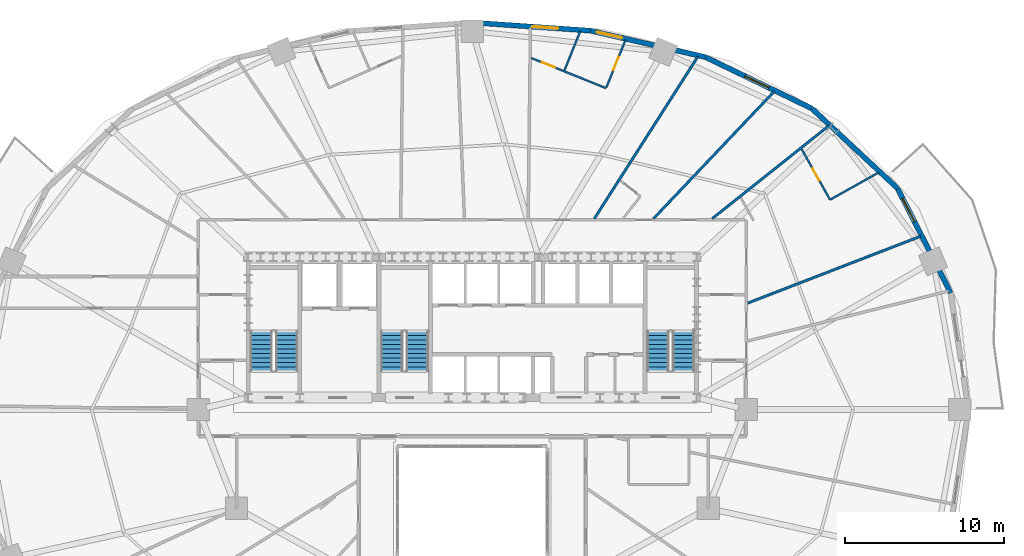
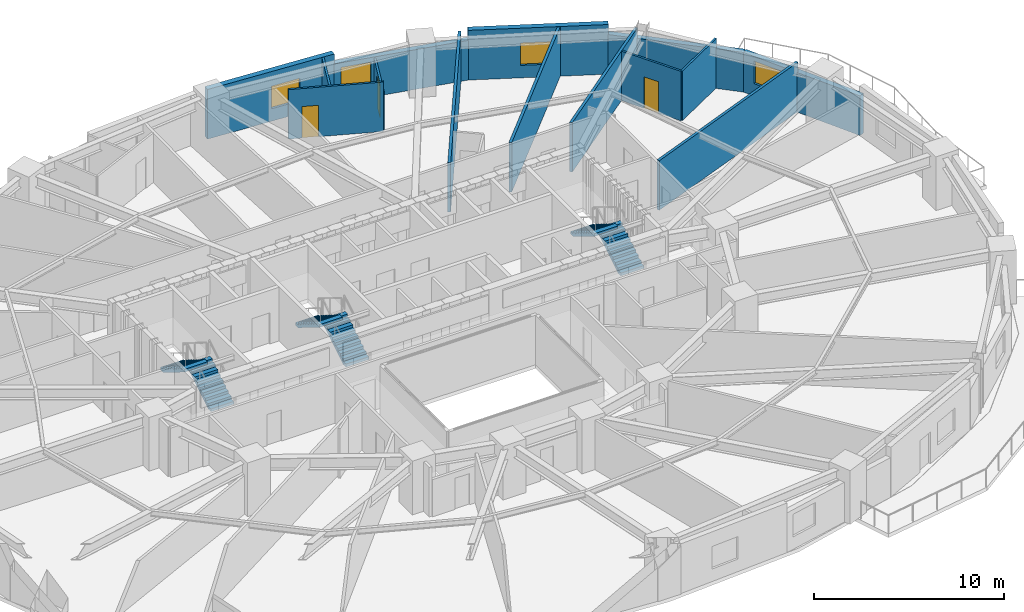
# One storey, part 12 of 16: 14 walls, 6 stair flights, 4 windows, 3 doors, 7 openings, 3 elements without a shape of their own.
"""IFC4 building model written with IfcOpenShell, lengths in metres."""

import ifcopenshell
import ifcopenshell.guid

model = None  # the IFC model being written
_history = None  # IfcOwnerHistory: only IFC2X3 demands one
_inside = {}  # id of a spatial element -> (the spatial element, [elements in it])
_under = {}  # id of a project, library or spatial element -> (it, [spatial elements below it])
_declared = {}  # id of a project -> (the project, [libraries it declares])
_typed = {}  # id of a type object -> (the type object, [elements of that type])
_made_of = {}  # id of a material, layer set ... -> (it, [elements and type objects made of it])


def new_model(schema):
    """Start an empty IFC model of exactly this schema.

    Asked for "IFC4X3", IfcOpenShell would pick the latest addendum, in which some entities
    have other attributes; the version numbers below select the first issue.
    IFC2X3 requires an IfcOwnerHistory on every rooted entity: one is made here for all.
    """
    global model, _history
    if schema == "IFC4X3":
        model = ifcopenshell.file(schema_version=(4, 3, 0, 0))
    else:
        model = ifcopenshell.file(schema=schema)
    _inside.clear()
    _under.clear()
    _declared.clear()
    _typed.clear()
    _made_of.clear()
    _history = None
    if model.schema == "IFC2X3":
        org = make("IfcOrganization", Name="unknown")
        user = make(
            "IfcPersonAndOrganization",
            ThePerson=make("IfcPerson", FamilyName="unknown"),
            TheOrganization=org,
        )
        app = make(
            "IfcApplication",
            ApplicationDeveloper=org,
            Version="unknown",
            ApplicationFullName="unknown",
            ApplicationIdentifier="unknown",
        )
        _history = make(
            "IfcOwnerHistory",
            OwningUser=user,
            OwningApplication=app,
            ChangeAction="ADDED",
            CreationDate=0,
        )
    return model


def make(cls, **values):
    """One entity of the class cls with the attributes given. An attribute that is None is left unset."""
    return model.create_entity(
        cls, **{name: value for name, value in values.items() if value is not None}
    )


def rooted(cls, **values):
    """An entity with a GlobalId (a new one), such as an element, a storey or a relation."""
    return make(cls, GlobalId=ifcopenshell.guid.new(), OwnerHistory=_history, **values)


def si_unit(unit_type, name, prefix=None):
    """IfcSIUnit, for example si_unit("LENGTHUNIT", "METRE", prefix="MILLI")."""
    return make("IfcSIUnit", UnitType=unit_type, Prefix=prefix, Name=name)


def assignment(units):
    """IfcUnitAssignment: the units of a project."""
    return None if units is None else make("IfcUnitAssignment", Units=units)


def point(xyz):
    """IfcCartesianPoint."""
    return None if xyz is None else make("IfcCartesianPoint", Coordinates=xyz)


def direction(xyz):
    """IfcDirection."""
    return None if xyz is None else make("IfcDirection", DirectionRatios=xyz)


def frame(location, z_axis=None, x_axis=None):
    """IfcAxis2Placement3D, a coordinate frame: its origin and axes. An axis left out is left unset."""
    return make(
        "IfcAxis2Placement3D",
        Location=point(location),
        Axis=direction(z_axis),
        RefDirection=direction(x_axis),
    )


def frame_2d(location, x_axis=None):
    """IfcAxis2Placement2D, a coordinate frame in the plane: its origin and x axis."""
    return make(
        "IfcAxis2Placement2D", Location=point(location), RefDirection=direction(x_axis)
    )


def origin():
    """The frame at (0, 0, 0) with its axes left unset."""
    return frame((0.0, 0.0, 0.0))


def place(relative_to, where):
    """IfcLocalPlacement: puts the frame where relative to a parent placement (None: the world)."""
    return make(
        "IfcLocalPlacement", PlacementRelTo=relative_to, RelativePlacement=where
    )


def context(
    kind, dimensions, precision=None, world=None, true_north=None, identifier=None
):
    """IfcGeometricRepresentationContext, for example the 3D "Model" context."""
    return make(
        "IfcGeometricRepresentationContext",
        ContextIdentifier=identifier,
        ContextType=kind,
        CoordinateSpaceDimension=dimensions,
        Precision=precision,
        WorldCoordinateSystem=world,
        TrueNorth=true_north,
    )


def subcontext(parent, identifier, kind, view, scale=None):
    """IfcGeometricRepresentationSubContext, for example "Body" below "Model"."""
    return make(
        "IfcGeometricRepresentationSubContext",
        ContextIdentifier=identifier,
        ContextType=kind,
        ParentContext=parent,
        TargetScale=scale,
        TargetView=view,
    )


def project(units=None, contexts=None):
    """IfcProject with its units and contexts."""
    return rooted(
        "IfcProject",
        Name="project",
        RepresentationContexts=contexts,
        UnitsInContext=assignment(units),
    )


def spatial(cls, under=None, at=None, **own):
    """A site, building, storey or space (cls), placed at a placement, below another one or the project."""
    s = rooted(cls, ObjectPlacement=at, **own)
    if under is not None:
        _under.setdefault(under.id(), (under, []))[1].append(s)
    return s


def polyline(points):
    """IfcPolyline through the points."""
    return make("IfcPolyline", Points=[point(p) for p in points])


def profile(cls, at=None, kind="AREA", **sizes):
    """A parametric profile (cls). Its sizes go by their IFC names, for example OverallWidth=200.0."""
    return make(cls, ProfileType=kind, Position=at, **sizes)


def rectangle(**sizes):
    """IfcRectangleProfileDef."""
    return profile("IfcRectangleProfileDef", **sizes)


def outline(outer, holes=None, kind="AREA"):
    """IfcArbitraryClosedProfileDef: a profile drawn as a closed curve; with holes, ...WithVoids."""
    if holes is None:
        return make("IfcArbitraryClosedProfileDef", ProfileType=kind, OuterCurve=outer)
    return make(
        "IfcArbitraryProfileDefWithVoids",
        ProfileType=kind,
        OuterCurve=outer,
        InnerCurves=holes,
    )


def extrude(swept, where, along, depth):
    """IfcExtrudedAreaSolid: the profile swept, set in the frame where, extruded along a direction by depth."""
    return make(
        "IfcExtrudedAreaSolid",
        SweptArea=swept,
        Position=where,
        ExtrudedDirection=direction(along),
        Depth=depth,
    )


def shape(context_of_items, identifier, shape_type, items):
    """IfcShapeRepresentation: the items that make up one representation, for example the "Body"."""
    return make(
        "IfcShapeRepresentation",
        ContextOfItems=context_of_items,
        RepresentationIdentifier=identifier,
        RepresentationType=shape_type,
        Items=items,
    )


def material(Name=None, Category=None):
    """IfcMaterial."""
    return make("IfcMaterial", Name=Name, Category=Category)


def layer(
    of_material, thickness, ventilated=None, Name=None, Category=None, Priority=None
):
    """IfcMaterialLayer: one layer of a wall or slab, of a material (None: an air gap)."""
    return make(
        "IfcMaterialLayer",
        Material=of_material,
        LayerThickness=thickness,
        IsVentilated=ventilated,
        Name=Name,
        Category=Category,
        Priority=Priority,
    )


def layer_set(layers, Name=None):
    """IfcMaterialLayerSet."""
    return make("IfcMaterialLayerSet", MaterialLayers=layers, LayerSetName=Name)


def made_of(thing, what):
    """Note that an element or type object is made of a material, layer set ...; save() writes the relation."""
    if what is not None:
        _made_of.setdefault(what.id(), (what, []))[1].append(thing)
    return thing


def type_object(cls, material=None, **own):
    """A type object (cls), such as IfcWallType, which elements share."""
    return made_of(rooted(cls, **own), material)


def element(
    cls,
    number,
    at=None,
    inside=None,
    cuts=None,
    type_object=None,
    material=None,
    context=None,
    identifier="Body",
    shape_type=None,
    held_by="IfcProductDefinitionShape",
    body=None,
    shapes=None,
    **own,
):
    """One element of the class cls, such as IfcWall. Its Tag is "e" and its number.

    at: its placement. inside: the storey or other place that contains it. cuts: it is an
    opening in that element (IfcRelVoidsElement). A single representation is given by context,
    identifier, shape_type and body (its items); several are given by shapes. held_by: the class
    of the entity that holds the representations. save() writes the other relations.
    """
    e = rooted(cls, Tag="e%d" % number, ObjectPlacement=at, **own)
    if body is not None:
        shapes = [shape(context, identifier, shape_type, body)]
    if shapes is not None:
        e.Representation = make(held_by, Representations=shapes)
    if inside is not None:
        _inside.setdefault(inside.id(), (inside, []))[1].append(e)
    if cuts is not None:
        rooted(
            "IfcRelVoidsElement", RelatingBuildingElement=cuts, RelatedOpeningElement=e
        )
    if type_object is not None:
        _typed.setdefault(type_object.id(), (type_object, []))[1].append(e)
    return made_of(e, material)


def fill(opening, filler):
    """IfcRelFillsElement: the door or window that sits in an opening."""
    return rooted(
        "IfcRelFillsElement",
        RelatingOpeningElement=opening,
        RelatedBuildingElement=filler,
    )


def aggregate(whole, parts):
    """IfcRelAggregates: a whole, such as a stair, and the parts it consists of."""
    return rooted("IfcRelAggregates", RelatingObject=whole, RelatedObjects=parts)


def save(model, path):
    """Write the relations noted so far, then the file.

    IfcRelAggregates (storeys below a building ...), IfcRelContainedInSpatialStructure (elements
    in a storey), IfcRelDefinesByType, IfcRelAssociatesMaterial and IfcRelDeclares: one each for
    every whole, place, type object, material and project.
    """
    for whole, parts in _under.values():
        aggregate(whole, parts)
    for where, things in _inside.values():
        rooted(
            "IfcRelContainedInSpatialStructure",
            RelatedElements=things,
            RelatingStructure=where,
        )
    for kind, things in _typed.values():
        rooted("IfcRelDefinesByType", RelatedObjects=things, RelatingType=kind)
    for what, things in _made_of.values():
        rooted("IfcRelAssociatesMaterial", RelatedObjects=things, RelatingMaterial=what)
    for by, libraries in _declared.values():
        rooted("IfcRelDeclares", RelatingContext=by, RelatedDefinitions=libraries)
    model.write(path)


model = new_model("IFC4")

# Units and contexts
model_context = context("Model", 3, precision=1e-05, world=origin(), true_north=direction((0.0, 1.0)))
body_context = subcontext(model_context, "Body", "Model", "MODEL_VIEW")
ifc_project = project(units=[si_unit("LENGTHUNIT", "METRE"), si_unit("AREAUNIT", "SQUARE_METRE"), si_unit("VOLUMEUNIT", "CUBIC_METRE"), si_unit("PLANEANGLEUNIT", "RADIAN"), si_unit("MASSUNIT", "GRAM", prefix="KILO")], contexts=[model_context])

# Site, building, storey
site_placement = place(None, origin())
site = spatial("IfcSite", under=ifc_project, at=site_placement, CompositionType="ELEMENT")
building_placement = place(site_placement, origin())
building = spatial("IfcBuilding", under=site, at=building_placement, Name="Haldorwick Loom Tower", CompositionType="ELEMENT")
storey_placement = place(building_placement, frame((0.0, 0.0, 68.85009765625)))
storey = spatial("IfcBuildingStorey", under=building, at=storey_placement, Name="L18", CompositionType="ELEMENT", Elevation=68.85009765625)

# Wall, opening, window
ifc_material_1 = material(Name="Pressed Clay Face Brick and Insulated Masonry Backup Assembly", Category="masonry")
ifc_layer_1 = layer(ifc_material_1, 0.320068359375, Name="Pressed Clay Face Brick and Insulated Masonry Backup Assembly", Category="masonry")
ifc_layer_set_1 = layer_set([ifc_layer_1], Name="Pressed Clay Face Brick and Insulated Masonry Backup Assembly")
wall_type_1 = type_object("IfcWallType", Name="ARC-WL-EXT320", PredefinedType="STANDARD", material=ifc_layer_set_1)
wall_1_placement = place(storey_placement, frame((66.021728515625, 33.320556640625, 0.0), z_axis=(0.0, 0.0, 1.0), x_axis=(-0.452950855928, 0.891535485617, 0.0)))
wall_1 = element("IfcWall", 1, at=wall_1_placement, inside=storey, type_object=wall_type_1, Name="L18 Brick Pier and Spandrel Wall 2", PredefinedType="STANDARD", context=body_context, shape_type="SweptSolid", body=[
    extrude(rectangle(XDim=7.3583984375, YDim=0.320068359375, at=frame_2d((3.67919921875, 0.0))), origin(), (0.0, 0.0, 1.0), 2.548828125),
])
opening_1_placement = place(wall_1_placement, frame((5.00927734375, 0.0, 0.800048828125)))
opening_1 = element("IfcOpeningElement", 2, at=opening_1_placement, cuts=wall_1, Name="Opening W-01B", PredefinedType="OPENING", context=body_context, shape_type="SweptSolid", body=[
    extrude(rectangle(XDim=1.64990234375, YDim=1.449951171875, at=frame_2d((0.824951171875, 0.72509765625))), frame((0.0, 0.169921875, 0.0), z_axis=(0.0, -1.0, 0.0), x_axis=(1.0, 0.0, 0.0)), (0.0, 0.0, 1.0), 0.340087890625),
])
ifc_material_2 = material(Name="Triple-Glazed Low-E Argon Insulated Glazing Unit", Category="glass")
window_type = type_object("IfcWindowType", Name="ARC-WIN-W165", PartitioningType="SINGLE_PANEL", PredefinedType="WINDOW", material=ifc_material_2)
window_1_placement = place(opening_1_placement, origin())
window_1 = element("IfcWindow", 3, at=window_1_placement, inside=storey, type_object=window_type, Name="L18 Deep-Set Zone 7A Window 2", OverallHeight=1.449951171875, OverallWidth=1.64990234375, PartitioningType="SINGLE_PANEL", PredefinedType="WINDOW", context=body_context, shape_type="SweptSolid", body=[
    extrude(rectangle(XDim=1.64990234375, YDim=1.449951171875, at=frame_2d((0.824951171875, 0.72509765625))), frame((0.0, 0.030029296875, 0.0), z_axis=(0.0, -1.0, 0.0), x_axis=(1.0, 0.0, 0.0)), (0.0, 0.0, 1.0), 0.06005859375),
])
fill(opening_1, window_1)

# Wall
wall_2_placement = place(storey_placement, frame((62.688720703125, 39.880859375, 0.0), z_axis=(0.0, 0.0, 1.0), x_axis=(-0.73176101237, 0.681561311091, 0.0)))
element("IfcWall", 4, at=wall_2_placement, inside=storey, type_object=wall_type_1, Name="L18 Brick Pier and Spandrel Wall 3", PredefinedType="STANDARD", context=body_context, shape_type="SweptSolid", body=[
    extrude(rectangle(XDim=7.3583984375, YDim=0.320068359375, at=frame_2d((3.67919921875, 0.0))), origin(), (0.0, 0.0, 1.0), 2.548828125),
])

# Wall, opening, window
wall_3_placement = place(storey_placement, frame((57.30419921875, 44.89599609375, 0.0), z_axis=(0.0, 0.0, 1.0), x_axis=(-0.900295710431, 0.435278800057, 0.0)))
wall_3 = element("IfcWall", 5, at=wall_3_placement, inside=storey, type_object=wall_type_1, Name="L18 Brick Pier and Spandrel Wall 4", PredefinedType="STANDARD", context=body_context, shape_type="SweptSolid", body=[
    extrude(rectangle(XDim=7.39697265625, YDim=0.320068359375, at=frame_2d((3.698486328125, 0.0))), origin(), (0.0, 0.0, 1.0), 3.18994140625),
])
opening_2_placement = place(wall_3_placement, frame((2.994140625, 0.0, 0.800048828125)))
opening_2 = element("IfcOpeningElement", 6, at=opening_2_placement, cuts=wall_3, Name="Opening W-01B", PredefinedType="OPENING", context=body_context, shape_type="SweptSolid", body=[
    extrude(rectangle(XDim=1.64990234375, YDim=1.449951171875, at=frame_2d((0.824951171875, 0.72509765625))), frame((0.0, 0.169921875, 0.0), z_axis=(0.0, -1.0, 0.0), x_axis=(1.0, 0.0, 0.0)), (0.0, 0.0, 1.0), 0.340087890625),
])
window_2_placement = place(opening_2_placement, origin())
window_2 = element("IfcWindow", 7, at=window_2_placement, inside=storey, type_object=window_type, Name="L18 Deep-Set Zone 7A Window 4", OverallHeight=1.449951171875, OverallWidth=1.64990234375, PartitioningType="SINGLE_PANEL", PredefinedType="WINDOW", context=body_context, shape_type="SweptSolid", body=[
    extrude(rectangle(XDim=1.64990234375, YDim=1.449951171875, at=frame_2d((0.824951171875, 0.72509765625))), frame((0.0, 0.030029296875, 0.0), z_axis=(0.0, -1.0, 0.0), x_axis=(1.0, 0.0, 0.0)), (0.0, 0.0, 1.0), 0.06005859375),
])
fill(opening_2, window_2)

wall_4_placement = place(storey_placement, frame((50.644775390625, 48.11572265625, 0.0), z_axis=(0.0, 0.0, 1.0), x_axis=(-0.974522412345, 0.224290142088, 0.0)))
wall_4 = element("IfcWall", 8, at=wall_4_placement, inside=storey, type_object=wall_type_1, Name="L18 Brick Pier and Spandrel Wall 5", PredefinedType="STANDARD", context=body_context, shape_type="SweptSolid", body=[
    extrude(rectangle(XDim=7.422607421875, YDim=0.320068359375, at=frame_2d((3.71142578125, 0.0))), origin(), (0.0, 0.0, 1.0), 2.548828125),
])
opening_3_placement = place(wall_4_placement, frame((5.37255859375, 0.0, 0.800048828125)))
opening_3 = element("IfcOpeningElement", 9, at=opening_3_placement, cuts=wall_4, Name="Opening W-01B", PredefinedType="OPENING", context=body_context, shape_type="SweptSolid", body=[
    extrude(rectangle(XDim=1.64990234375, YDim=1.449951171875, at=frame_2d((0.824951171875, 0.72509765625))), frame((0.0, 0.169921875, 0.0), z_axis=(0.0, -1.0, 0.0), x_axis=(1.0, 0.0, 0.0)), (0.0, 0.0, 1.0), 0.340087890625),
])
window_3_placement = place(opening_3_placement, origin())
window_3 = element("IfcWindow", 10, at=window_3_placement, inside=storey, type_object=window_type, Name="L18 Deep-Set Zone 7A Window 5", OverallHeight=1.449951171875, OverallWidth=1.64990234375, PartitioningType="SINGLE_PANEL", PredefinedType="WINDOW", context=body_context, shape_type="SweptSolid", body=[
    extrude(rectangle(XDim=1.64990234375, YDim=1.449951171875, at=frame_2d((0.824951171875, 0.72509765625))), frame((0.0, 0.030029296875, 0.0), z_axis=(0.0, -1.0, 0.0), x_axis=(1.0, 0.0, 0.0)), (0.0, 0.0, 1.0), 0.06005859375),
])
fill(opening_3, window_3)

wall_5_placement = place(storey_placement, frame((43.411376953125, 49.780517578125, 0.0), z_axis=(0.0, 0.0, 1.0), x_axis=(-0.997645161917, 0.068586667092, 0.0)))
wall_5 = element("IfcWall", 11, at=wall_5_placement, inside=storey, type_object=wall_type_1, Name="L18 Brick Pier and Spandrel Wall 6", PredefinedType="STANDARD", context=body_context, shape_type="SweptSolid", body=[
    extrude(rectangle(XDim=7.428955078125, YDim=0.320068359375, at=frame_2d((3.71435546875, 0.0))), origin(), (0.0, 0.0, 1.0), 3.18994140625),
])
opening_4_placement = place(wall_5_placement, frame((2.01953125, 0.0, 0.800048828125)))
opening_4 = element("IfcOpeningElement", 12, at=opening_4_placement, cuts=wall_5, Name="Opening W-01B", PredefinedType="OPENING", context=body_context, shape_type="SweptSolid", body=[
    extrude(rectangle(XDim=1.64990234375, YDim=1.449951171875, at=frame_2d((0.824951171875, 0.72509765625))), frame((0.0, 0.169921875, 0.0), z_axis=(0.0, -1.0, 0.0), x_axis=(1.0, 0.0, 0.0)), (0.0, 0.0, 1.0), 0.340087890625),
])
window_4_placement = place(opening_4_placement, origin())
window_4 = element("IfcWindow", 13, at=window_4_placement, inside=storey, type_object=window_type, Name="L18 Deep-Set Zone 7A Window 6", OverallHeight=1.449951171875, OverallWidth=1.64990234375, PartitioningType="SINGLE_PANEL", PredefinedType="WINDOW", context=body_context, shape_type="SweptSolid", body=[
    extrude(rectangle(XDim=1.64990234375, YDim=1.449951171875, at=frame_2d((0.824951171875, 0.72509765625))), frame((0.0, 0.030029296875, 0.0), z_axis=(0.0, -1.0, 0.0), x_axis=(1.0, 0.0, 0.0)), (0.0, 0.0, 1.0), 0.06005859375),
])
fill(opening_4, window_4)

# Walls
ifc_material_3 = material(Name="Fire-Rated Type X Gypsum Stud Assembly EI 60")
ifc_layer_2 = layer(ifc_material_3, 0.159912109375, Name="Fire-Rated Type X Gypsum Stud Assembly EI 60")
ifc_layer_set_2 = layer_set([ifc_layer_2], Name="Fire-Rated Type X Gypsum Stud Assembly EI 60")
wall_type_2 = type_object("IfcWallType", Name="ARC-WL-FIRE160", PredefinedType="PARTITIONING", material=ifc_layer_set_2)
wall_6_placement = place(storey_placement, frame((47.369384765625, 37.98291015625, 0.0), z_axis=(0.0, 0.0, 1.0), x_axis=(0.688281090764, 0.725444098533, 0.0)))
element("IfcWall", 14, at=wall_6_placement, inside=storey, type_object=wall_type_2, Name="L18 Suite Split Wall", PredefinedType="PARTITIONING", context=body_context, shape_type="SweptSolid", body=[
    extrude(rectangle(XDim=11.00390625, YDim=0.159912109375, at=frame_2d((5.501953125, 0.0))), origin(), (0.0, 0.0, 1.0), 3.1748046875),
])
wall_7_placement = place(storey_placement, frame((51.052490234375, 37.98291015625, 0.0), z_axis=(0.0, 0.0, 1.0), x_axis=(0.782350535086, 0.622838374099, 0.0)))
element("IfcWall", 15, at=wall_7_placement, inside=storey, type_object=wall_type_2, Name="L18 Suite Split Wall", PredefinedType="PARTITIONING", context=body_context, shape_type="SweptSolid", body=[
    extrude(rectangle(XDim=9.357666015625, YDim=0.159912109375, at=frame_2d((4.6787109375, 0.0))), origin(), (0.0, 0.0, 1.0), 3.1748046875),
])
wall_8_placement = place(storey_placement, frame((43.65625, 37.98291015625, 0.0), z_axis=(0.0, 0.0, 1.0), x_axis=(0.538417986095, 0.842677917267, 0.0)))
element("IfcWall", 16, at=wall_8_placement, inside=storey, type_object=wall_type_2, Name="L18 Suite Split Wall", PredefinedType="PARTITIONING", context=body_context, shape_type="SweptSolid", body=[
    extrude(rectangle(XDim=12.077880859375, YDim=0.159912109375, at=frame_2d((6.0390625, 0.0))), origin(), (0.0, 0.0, 1.0), 3.1748046875),
])
wall_9_placement = place(storey_placement, frame((53.282958984375, 32.681640625, 0.0), z_axis=(0.0, 0.0, 1.0), x_axis=(0.932721519718, 0.360597513379, 0.0)))
element("IfcWall", 17, at=wall_9_placement, inside=storey, type_object=wall_type_2, Name="L18 Suite Split Wall", PredefinedType="PARTITIONING", context=body_context, shape_type="SweptSolid", body=[
    extrude(rectangle(XDim=11.64111328125, YDim=0.159912109375, at=frame_2d((5.820556640625, 0.0))), origin(), (0.0, 0.0, 1.0), 3.1748046875),
])

# Wall, opening, door
ifc_material_4 = material(Name="Acoustic Gypsum Stud Assembly STC 55")
ifc_layer_3 = layer(ifc_material_4, 0.1201171875, Name="Acoustic Gypsum Stud Assembly STC 55")
ifc_layer_set_3 = layer_set([ifc_layer_3], Name="Acoustic Gypsum Stud Assembly STC 55")
wall_type_3 = type_object("IfcWallType", Name="ARC-WL-PART120", PredefinedType="PARTITIONING", material=ifc_layer_set_3)
wall_10_placement = place(storey_placement, frame((44.391357421875, 46.17041015625, 0.0), z_axis=(0.0, 0.0, 1.0), x_axis=(-0.927379554423, 0.374121854533, 0.0)))
wall_10 = element("IfcWall", 18, at=wall_10_placement, inside=storey, type_object=wall_type_3, Name="L18 Unit 18K Interior Partition", PredefinedType="PARTITIONING", context=body_context, shape_type="SweptSolid", body=[
    extrude(rectangle(XDim=5.05224609375, YDim=0.1201171875, at=frame_2d((2.526123046875, 0.0))), origin(), (0.0, 0.0, 1.0), 3.1748046875),
])
opening_5_placement = place(wall_10_placement, frame((3.464111328125, 0.0, 0.0)))
opening_5 = element("IfcOpeningElement", 19, at=opening_5_placement, cuts=wall_10, Name="Opening D-BT88", PredefinedType="OPENING", context=body_context, shape_type="SweptSolid", body=[
    extrude(rectangle(XDim=0.8798828125, YDim=2.02001953125, at=frame_2d((0.43994140625, 1.010009765625))), frame((0.0, 0.070068359375, 0.0), z_axis=(0.0, -1.0, 0.0), x_axis=(1.0, 0.0, 0.0)), (0.0, 0.0, 1.0), 0.14013671875),
])
ifc_material_5 = material(Name="Solid Core Birch Architectural Door")
door_type_1 = type_object("IfcDoorType", Name="ARC-DR-BATH88", OperationType="NOTDEFINED", PredefinedType="DOOR", material=ifc_material_5)
door_1_placement = place(opening_5_placement, origin())
door_1 = element("IfcDoor", 20, at=door_1_placement, inside=storey, type_object=door_type_1, Name="L18 Unit 18K Kitchen and Living Room to Unit 18K Bathroom Door", OperationType="SINGLE_SWING_RIGHT", OverallHeight=2.02001953125, OverallWidth=0.8798828125, PredefinedType="DOOR", context=body_context, shape_type="SweptSolid", body=[
    extrude(rectangle(XDim=0.8798828125, YDim=2.02001953125, at=frame_2d((0.43994140625, 1.010009765625))), frame((0.0, 0.02490234375, 0.0), z_axis=(0.0, -1.0, 0.0), x_axis=(1.0, 0.0, 0.0)), (0.0, 0.0, 1.0), 0.050048828125),
])
fill(opening_5, door_1)

wall_11_placement = place(storey_placement, frame((44.4150390625, 46.22900390625, 0.0), z_axis=(0.0, 0.0, 1.0), x_axis=(0.374077001198, 0.927397647816, 0.0)))
wall_11 = element("IfcWall", 21, at=wall_11_placement, inside=storey, type_object=wall_type_3, Name="L18 Unit 18K Interior Partition", PredefinedType="PARTITIONING", context=body_context, shape_type="SweptSolid", body=[
    extrude(rectangle(XDim=3.21044921875, YDim=0.1201171875, at=frame_2d((1.605224609375, 0.0))), origin(), (0.0, 0.0, 1.0), 2.469970703125),
])
opening_6_placement = place(wall_11_placement, frame((1.1552734375, 0.0, 0.0)))
opening_6 = element("IfcOpeningElement", 22, at=opening_6_placement, cuts=wall_11, Name="Opening D-IN90", PredefinedType="OPENING", context=body_context, shape_type="SweptSolid", body=[
    extrude(rectangle(XDim=0.89990234375, YDim=2.0400390625, at=frame_2d((0.449951171875, 1.02001953125))), frame((0.0, 0.070068359375, 0.0), z_axis=(0.0, -1.0, 0.0), x_axis=(1.0, 0.0, 0.0)), (0.0, 0.0, 1.0), 0.14013671875),
])
door_type_2 = type_object("IfcDoorType", Name="ARC-DR-INT90", OperationType="NOTDEFINED", PredefinedType="DOOR", material=ifc_material_5)
door_2_placement = place(opening_6_placement, origin())
door_2 = element("IfcDoor", 23, at=door_2_placement, inside=storey, type_object=door_type_2, Name="L18 Unit 18K Bedroom 1 to Unit 18K Kitchen and Living Room Door", OperationType="SINGLE_SWING_LEFT", OverallHeight=2.0400390625, OverallWidth=0.89990234375, PredefinedType="DOOR", context=body_context, shape_type="SweptSolid", body=[
    extrude(rectangle(XDim=0.89990234375, YDim=2.0400390625, at=frame_2d((0.449951171875, 1.02001953125))), frame((0.0, 0.02490234375, 0.0), z_axis=(0.0, -1.0, 0.0), x_axis=(1.0, 0.0, 0.0)), (0.0, 0.0, 1.0), 0.050048828125),
])
fill(opening_6, door_2)

# Wall
wall_12_placement = place(storey_placement, frame((41.781005859375, 47.29150390625, 0.0), z_axis=(0.0, 0.0, 1.0), x_axis=(0.374173269205, 0.927358811147, 0.0)))
element("IfcWall", 24, at=wall_12_placement, inside=storey, type_object=wall_type_3, Name="L18 Unit 18K Interior Partition", PredefinedType="PARTITIONING", context=body_context, shape_type="SweptSolid", body=[
    extrude(rectangle(XDim=2.660888671875, YDim=0.1201171875, at=frame_2d((1.33056640625, 0.0))), origin(), (0.0, 0.0, 1.0), 3.1748046875),
])

# Wall, opening, door
wall_13_placement = place(storey_placement, frame((58.449951171875, 39.167724609375, 0.0), z_axis=(0.0, 0.0, 1.0), x_axis=(-0.489125455441, 0.872213442249, 0.0)))
wall_13 = element("IfcWall", 25, at=wall_13_placement, inside=storey, type_object=wall_type_3, Name="L18 Unit 18O Interior Partition", PredefinedType="PARTITIONING", context=body_context, shape_type="SweptSolid", body=[
    extrude(rectangle(XDim=3.644775390625, YDim=0.1201171875, at=frame_2d((1.822265625, 0.0))), origin(), (0.0, 0.0, 1.0), 3.1748046875),
])
opening_7_placement = place(wall_13_placement, frame((1.38232421875, 0.0, 0.0)))
opening_7 = element("IfcOpeningElement", 26, at=opening_7_placement, cuts=wall_13, Name="Opening D-BT88", PredefinedType="OPENING", context=body_context, shape_type="SweptSolid", body=[
    extrude(rectangle(XDim=0.8798828125, YDim=2.02001953125, at=frame_2d((0.43994140625, 1.010009765625))), frame((0.0, 0.070068359375, 0.0), z_axis=(0.0, -1.0, 0.0), x_axis=(1.0, 0.0, 0.0)), (0.0, 0.0, 1.0), 0.14013671875),
])
door_3_placement = place(opening_7_placement, origin())
door_3 = element("IfcDoor", 27, at=door_3_placement, inside=storey, type_object=door_type_1, Name="L18 Unit 18O Kitchen and Studio Living Room to Unit 18O Bathroom Door", OperationType="SINGLE_SWING_LEFT", OverallHeight=2.02001953125, OverallWidth=0.8798828125, PredefinedType="DOOR", context=body_context, shape_type="SweptSolid", body=[
    extrude(rectangle(XDim=0.8798828125, YDim=2.02001953125, at=frame_2d((0.43994140625, 1.010009765625))), frame((0.0, 0.02490234375, 0.0), z_axis=(0.0, -1.0, 0.0), x_axis=(1.0, 0.0, 0.0)), (0.0, 0.0, 1.0), 0.050048828125),
])
fill(opening_7, door_3)

# Wall
wall_14_placement = place(storey_placement, frame((58.449951171875, 39.167724609375, 0.0), z_axis=(0.0, 0.0, 1.0), x_axis=(0.872226201862, 0.489102701674, 0.0)))
element("IfcWall", 28, at=wall_14_placement, inside=storey, type_object=wall_type_3, Name="L18 Unit 18O Interior Partition", PredefinedType="PARTITIONING", context=body_context, shape_type="SweptSolid", body=[
    extrude(rectangle(XDim=3.51318359375, YDim=0.1201171875, at=frame_2d((1.756591796875, 0.0))), origin(), (0.0, 0.0, 1.0), 3.1748046875),
])

# Stair, stair flights
ifc_material_6 = material(Name="Concrete C40 (40 MPa)", Category="concrete")
stair_type = type_object("IfcStairType", Name="STR-STR-CORE", PredefinedType="HALF_TURN_STAIR", material=ifc_material_6)
stair_1_placement = place(storey_placement, origin())
stair_1 = element("IfcStair", 29, at=stair_1_placement, inside=storey, type_object=stair_type, Name="L18 Exit Stair ST-01", PredefinedType="HALF_TURN_STAIR")
stair_flight_type = type_object("IfcStairFlightType", Name="STR-STF-1250", PredefinedType="STRAIGHT", material=ifc_material_6)
stair_flight_1_placement = place(storey_placement, frame((24.35009765625, 28.39990234375, 0.0), z_axis=(0.0, 0.0, 1.0), x_axis=(0.0, 1.0, 0.0)))
stair_flight_1 = element("IfcStairFlight", 30, at=stair_flight_1_placement, type_object=stair_flight_type, Name="ST-01 flight 1", NumberOfRisers=10, NumberOfTreads=9, PredefinedType="STRAIGHT", RiserHeight=0.1725, TreadLength=0.28, context=body_context, shape_type="SweptSolid", body=[
    extrude(outline(polyline([(0.0, 0.0), (0.0, 0.172607421875), (0.280029296875, 0.172607421875), (0.280029296875, 0.344970703125), (0.56005859375, 0.344970703125), (0.56005859375, 0.517578125), (0.840087890625, 0.517578125), (0.840087890625, 0.68994140625), (1.1201171875, 0.68994140625), (1.1201171875, 0.862548828125), (1.39990234375, 0.862548828125), (1.39990234375, 1.034912109375), (1.679931640625, 1.034912109375), (1.679931640625, 1.20751953125), (1.9599609375, 1.20751953125), (1.9599609375, 1.3798828125), (2.239990234375, 1.3798828125), (2.239990234375, 1.552490234375), (2.52001953125, 1.552490234375), (2.52001953125, 1.72509765625), (2.52001953125, 1.37646484375), (0.285888671875, 0.0), (0.0, 0.0)])), frame((0.0, 0.699951171875, 0.0), z_axis=(0.0, -1.0, 0.0), x_axis=(1.0, 0.0, 0.0)), (0.0, 0.0, 1.0), 1.39990234375),
])
stair_flight_2_placement = place(storey_placement, frame((22.75, 30.919921875, 1.724853515625), z_axis=(0.0, 0.0, 1.0), x_axis=(0.0, -1.0, 0.0)))
stair_flight_2 = element("IfcStairFlight", 31, at=stair_flight_2_placement, type_object=stair_flight_type, Name="ST-01 flight 2", NumberOfRisers=10, NumberOfTreads=9, PredefinedType="STRAIGHT", RiserHeight=0.1725, TreadLength=0.28, context=body_context, shape_type="SweptSolid", body=[
    extrude(outline(polyline([(0.0, 0.0), (0.0, 0.172607421875), (0.280029296875, 0.172607421875), (0.280029296875, 0.344970703125), (0.56005859375, 0.344970703125), (0.56005859375, 0.517578125), (0.840087890625, 0.517578125), (0.840087890625, 0.68994140625), (1.1201171875, 0.68994140625), (1.1201171875, 0.862548828125), (1.39990234375, 0.862548828125), (1.39990234375, 1.034912109375), (1.679931640625, 1.034912109375), (1.679931640625, 1.20751953125), (1.9599609375, 1.20751953125), (1.9599609375, 1.3798828125), (2.239990234375, 1.3798828125), (2.239990234375, 1.552490234375), (2.52001953125, 1.552490234375), (2.52001953125, 1.72509765625), (2.52001953125, 1.37646484375), (0.285888671875, 0.0), (0.0, 0.0)])), frame((0.0, 0.699951171875, 0.0), z_axis=(0.0, -1.0, 0.0), x_axis=(1.0, 0.0, 0.0)), (0.0, 0.0, 1.0), 1.39990234375),
])
aggregate(stair_1, [stair_flight_1, stair_flight_2])

stair_2_placement = place(storey_placement, origin())
stair_2 = element("IfcStair", 32, at=stair_2_placement, inside=storey, type_object=stair_type, Name="L18 Exit Stair ST-02", PredefinedType="HALF_TURN_STAIR")
stair_flight_3_placement = place(storey_placement, frame((49.25, 28.39990234375, 0.0), z_axis=(0.0, 0.0, 1.0), x_axis=(0.0, 1.0, 0.0)))
stair_flight_3 = element("IfcStairFlight", 33, at=stair_flight_3_placement, type_object=stair_flight_type, Name="ST-02 flight 1", NumberOfRisers=10, NumberOfTreads=9, PredefinedType="STRAIGHT", RiserHeight=0.1725, TreadLength=0.28, context=body_context, shape_type="SweptSolid", body=[
    extrude(outline(polyline([(0.0, 0.0), (0.0, 0.172607421875), (0.280029296875, 0.172607421875), (0.280029296875, 0.344970703125), (0.56005859375, 0.344970703125), (0.56005859375, 0.517578125), (0.840087890625, 0.517578125), (0.840087890625, 0.68994140625), (1.1201171875, 0.68994140625), (1.1201171875, 0.862548828125), (1.39990234375, 0.862548828125), (1.39990234375, 1.034912109375), (1.679931640625, 1.034912109375), (1.679931640625, 1.20751953125), (1.9599609375, 1.20751953125), (1.9599609375, 1.3798828125), (2.239990234375, 1.3798828125), (2.239990234375, 1.552490234375), (2.52001953125, 1.552490234375), (2.52001953125, 1.72509765625), (2.52001953125, 1.37646484375), (0.285888671875, 0.0), (0.0, 0.0)])), frame((0.0, 0.699951171875, 0.0), z_axis=(0.0, -1.0, 0.0), x_axis=(1.0, 0.0, 0.0)), (0.0, 0.0, 1.0), 1.39990234375),
])
stair_flight_4_placement = place(storey_placement, frame((47.64990234375, 30.919921875, 1.724853515625), z_axis=(0.0, 0.0, 1.0), x_axis=(0.0, -1.0, 0.0)))
stair_flight_4 = element("IfcStairFlight", 34, at=stair_flight_4_placement, type_object=stair_flight_type, Name="ST-02 flight 2", NumberOfRisers=10, NumberOfTreads=9, PredefinedType="STRAIGHT", RiserHeight=0.1725, TreadLength=0.28, context=body_context, shape_type="SweptSolid", body=[
    extrude(outline(polyline([(0.0, 0.0), (0.0, 0.172607421875), (0.280029296875, 0.172607421875), (0.280029296875, 0.344970703125), (0.56005859375, 0.344970703125), (0.56005859375, 0.517578125), (0.840087890625, 0.517578125), (0.840087890625, 0.68994140625), (1.1201171875, 0.68994140625), (1.1201171875, 0.862548828125), (1.39990234375, 0.862548828125), (1.39990234375, 1.034912109375), (1.679931640625, 1.034912109375), (1.679931640625, 1.20751953125), (1.9599609375, 1.20751953125), (1.9599609375, 1.3798828125), (2.239990234375, 1.3798828125), (2.239990234375, 1.552490234375), (2.52001953125, 1.552490234375), (2.52001953125, 1.72509765625), (2.52001953125, 1.37646484375), (0.285888671875, 0.0), (0.0, 0.0)])), frame((0.0, 0.699951171875, 0.0), z_axis=(0.0, -1.0, 0.0), x_axis=(1.0, 0.0, 0.0)), (0.0, 0.0, 1.0), 1.39990234375),
])
aggregate(stair_2, [stair_flight_3, stair_flight_4])

stair_3_placement = place(storey_placement, origin())
stair_3 = element("IfcStair", 35, at=stair_3_placement, inside=storey, type_object=stair_type, Name="L18 Exit Stair ST-03", PredefinedType="HALF_TURN_STAIR")
stair_flight_5_placement = place(storey_placement, frame((32.550048828125, 28.39990234375, 0.0), z_axis=(0.0, 0.0, 1.0), x_axis=(0.0, 1.0, 0.0)))
stair_flight_5 = element("IfcStairFlight", 36, at=stair_flight_5_placement, type_object=stair_flight_type, Name="ST-03 flight 1", NumberOfRisers=10, NumberOfTreads=9, PredefinedType="STRAIGHT", RiserHeight=0.1725, TreadLength=0.28, context=body_context, shape_type="SweptSolid", body=[
    extrude(outline(polyline([(0.0, 0.0), (0.0, 0.172607421875), (0.280029296875, 0.172607421875), (0.280029296875, 0.344970703125), (0.56005859375, 0.344970703125), (0.56005859375, 0.517578125), (0.840087890625, 0.517578125), (0.840087890625, 0.68994140625), (1.1201171875, 0.68994140625), (1.1201171875, 0.862548828125), (1.39990234375, 0.862548828125), (1.39990234375, 1.034912109375), (1.679931640625, 1.034912109375), (1.679931640625, 1.20751953125), (1.9599609375, 1.20751953125), (1.9599609375, 1.3798828125), (2.239990234375, 1.3798828125), (2.239990234375, 1.552490234375), (2.52001953125, 1.552490234375), (2.52001953125, 1.72509765625), (2.52001953125, 1.37646484375), (0.285888671875, 0.0), (0.0, 0.0)])), frame((0.0, 0.699951171875, 0.0), z_axis=(0.0, -1.0, 0.0), x_axis=(1.0, 0.0, 0.0)), (0.0, 0.0, 1.0), 1.39990234375),
])
stair_flight_6_placement = place(storey_placement, frame((30.949951171875, 30.919921875, 1.724853515625), z_axis=(0.0, 0.0, 1.0), x_axis=(0.0, -1.0, 0.0)))
stair_flight_6 = element("IfcStairFlight", 37, at=stair_flight_6_placement, type_object=stair_flight_type, Name="ST-03 flight 2", NumberOfRisers=10, NumberOfTreads=9, PredefinedType="STRAIGHT", RiserHeight=0.1725, TreadLength=0.28, context=body_context, shape_type="SweptSolid", body=[
    extrude(outline(polyline([(0.0, 0.0), (0.0, 0.172607421875), (0.280029296875, 0.172607421875), (0.280029296875, 0.344970703125), (0.56005859375, 0.344970703125), (0.56005859375, 0.517578125), (0.840087890625, 0.517578125), (0.840087890625, 0.68994140625), (1.1201171875, 0.68994140625), (1.1201171875, 0.862548828125), (1.39990234375, 0.862548828125), (1.39990234375, 1.034912109375), (1.679931640625, 1.034912109375), (1.679931640625, 1.20751953125), (1.9599609375, 1.20751953125), (1.9599609375, 1.3798828125), (2.239990234375, 1.3798828125), (2.239990234375, 1.552490234375), (2.52001953125, 1.552490234375), (2.52001953125, 1.72509765625), (2.52001953125, 1.37646484375), (0.285888671875, 0.0), (0.0, 0.0)])), frame((0.0, 0.699951171875, 0.0), z_axis=(0.0, -1.0, 0.0), x_axis=(1.0, 0.0, 0.0)), (0.0, 0.0, 1.0), 1.39990234375),
])
aggregate(stair_3, [stair_flight_5, stair_flight_6])

save(model, "model.ifc")
